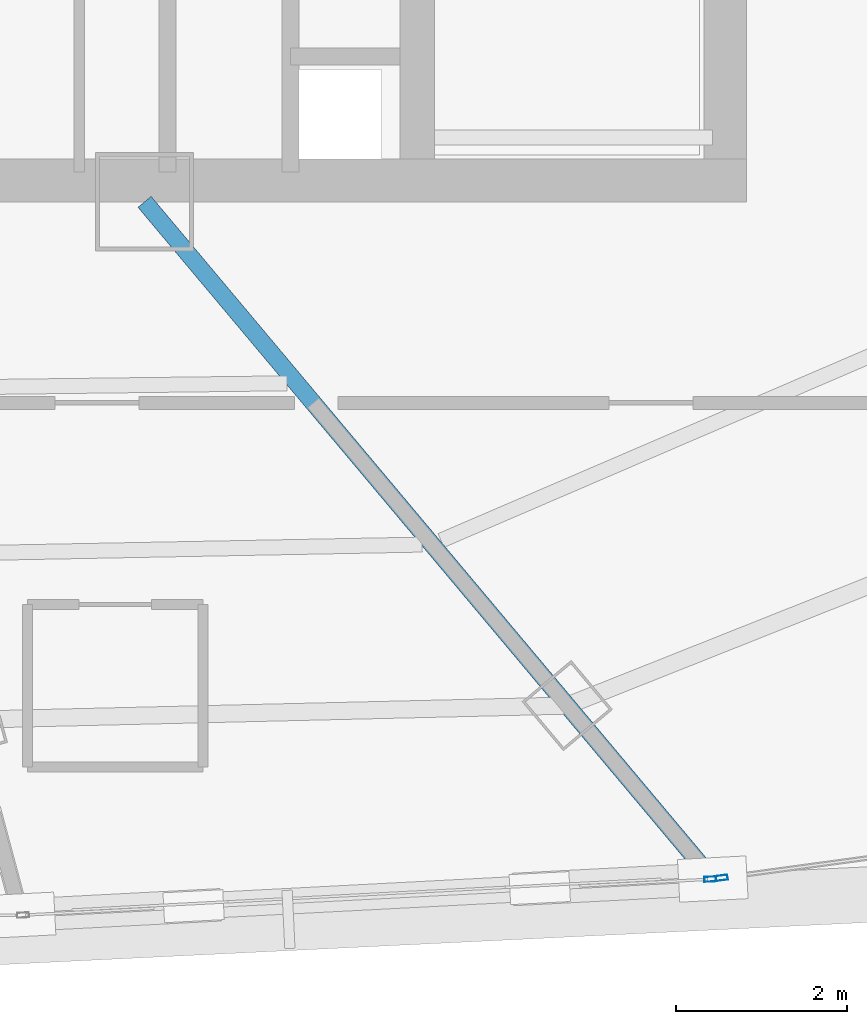
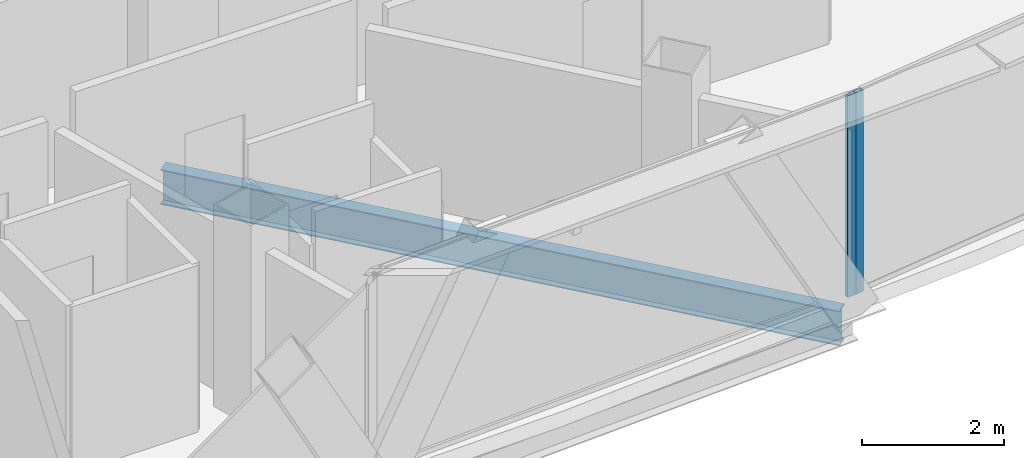
# One storey, part 12 of 40: 2 members, 1 beam, 2 elements without a shape of their own.
"""IFC4 building model written with IfcOpenShell, lengths in metres."""

from ifc_helpers import new_model, si_unit, direction, frame, origin, origin_2d, place, context, subcontext, project, spatial, hollow_rectangle, i_section, extrude, source, transform, mapped, material, layer, layer_set, material_profile, profile_set, type_object, element, aggregate, save


model = new_model("IFC4")

# Units and contexts
model_context = context("Model", 3, precision=1e-05, world=origin(), true_north=direction((0.0, 1.0)))
body_context = subcontext(model_context, "Body", "Model", "MODEL_VIEW")
ifc_project = project(units=[si_unit("LENGTHUNIT", "METRE"), si_unit("AREAUNIT", "SQUARE_METRE"), si_unit("VOLUMEUNIT", "CUBIC_METRE"), si_unit("PLANEANGLEUNIT", "RADIAN"), si_unit("MASSUNIT", "GRAM", prefix="KILO"), si_unit("THERMODYNAMICTEMPERATUREUNIT", "KELVIN"), si_unit("POWERUNIT", "WATT")], contexts=[model_context])

# Site, building, storey
site_placement = place(None, origin())
site = spatial("IfcSite", under=ifc_project, at=site_placement, CompositionType="ELEMENT")
building_placement = place(site_placement, origin())
building = spatial("IfcBuilding", under=site, at=building_placement, Name="Yunzhuo Pagoda Commons", CompositionType="ELEMENT")
storey_placement = place(building_placement, frame((0.0, 0.0, 288.75)))
storey = spatial("IfcBuildingStorey", under=building, at=storey_placement, Name="L72", CompositionType="ELEMENT", Elevation=288.75)

# Beam
ifc_material_1 = material(Name="Structural steel Q355B", Category="steel")
ifc_material_profile_1 = material_profile(ifc_material_1, i_section(OverallWidth=0.199951171875, OverallDepth=0.60009765625, WebThickness=0.010986328125, FlangeThickness=0.01708984375, at=origin_2d()), Name="Structural steel Q355B")
ifc_profile_set_1 = profile_set([ifc_material_profile_1], Name="Structural steel Q355B")
beam_type = type_object("IfcBeamType", Name="B-RG3 Beam HN 600x200x11x17", PredefinedType="BEAM", material=ifc_profile_set_1)
shared_shape_1 = source(origin(), body_context, "Body", "SweptSolid", [
    extrude(i_section(OverallWidth=0.199951171875, OverallDepth=0.60009765625, WebThickness=0.010986328125, FlangeThickness=0.01708984375, at=origin_2d()), origin(), (0.0, 0.0, 1.0), 10.179443359375),
])
beam_placement = place(storey_placement, frame((59.955322265625, 19.4521484375, -0.56005859375), z_axis=(-0.642789830325, 0.766042579776, 0.0), x_axis=(-0.766042579776, -0.642789830325, 0.0)))
element("IfcBeam", 1, at=beam_placement, inside=storey, type_object=beam_type, Name="L72 radial floor girder F1C4", PredefinedType="BEAM", context=body_context, shape_type="MappedRepresentation", body=[
    mapped(shared_shape_1, transform((0.0, 0.0, 0.0), scale=1.0)),
])

# Curtain wall, member
ifc_material_2 = material(Name="Anodized aluminium 6063-T6", Category="aluminium")
ifc_layer = layer(ifc_material_2, 0.139892578125)
ifc_layer_set = layer_set([ifc_layer], Name="Anodized aluminium 6063-T6")
curtain_wall_type = type_object("IfcCurtainWallType", Name="CW-HI High-Zone Ribbon Curtain Wall", PredefinedType="NOTDEFINED", material=ifc_layer_set)
curtain_wall_1_placement = place(storey_placement, origin())
curtain_wall_1 = element("IfcCurtainWall", 2, at=curtain_wall_1_placement, inside=storey, type_object=curtain_wall_type, Name="L72 curtain wall CW-L72-F1B4", PredefinedType="NOTDEFINED")
ifc_material_profile_2 = material_profile(ifc_material_2, hollow_rectangle(XDim=0.06005859375, YDim=0.139892578125, WallThickness=0.00341796875, at=origin_2d()), Name="Anodized aluminium 6063-T6")
ifc_profile_set_2 = profile_set([ifc_material_profile_2], Name="Anodized aluminium 6063-T6")
member_type = type_object("IfcMemberType", Name="CW-HI-M Mullion RHS 140x60x3.5", PredefinedType="MULLION", material=ifc_profile_set_2)
shared_shape_2 = source(origin(), body_context, "Body", "SweptSolid", [
    extrude(hollow_rectangle(XDim=0.06005859375, YDim=0.139892578125, WallThickness=0.00341796875, at=origin_2d()), origin(), (0.0, 0.0, 1.0), 3.469970703125),
])
member_1_placement = place(storey_placement, frame((60.02490234375, 19.33203125, 0.0), z_axis=(0.0, 0.0, 1.0), x_axis=(-0.052189625547, 0.998637192871, 0.0)))
member_1 = element("IfcMember", 3, at=member_1_placement, type_object=member_type, Name="CW mullion 2", PredefinedType="MULLION", context=body_context, shape_type="MappedRepresentation", body=[
    mapped(shared_shape_2, transform((0.0, 0.0, 0.0), scale=1.0)),
])
aggregate(curtain_wall_1, [member_1])

curtain_wall_2_placement = place(storey_placement, origin())
curtain_wall_2 = element("IfcCurtainWall", 4, at=curtain_wall_2_placement, inside=storey, type_object=curtain_wall_type, Name="L72 curtain wall CW-L72-F1B5", PredefinedType="NOTDEFINED")
member_2_placement = place(storey_placement, frame((60.1591796875, 19.34765625, 0.0), z_axis=(0.0, 0.0, 1.0), x_axis=(-0.134853980826, 0.99086548222, 0.0)))
member_2 = element("IfcMember", 5, at=member_2_placement, type_object=member_type, Name="CW mullion 1", PredefinedType="MULLION", context=body_context, shape_type="MappedRepresentation", body=[
    mapped(shared_shape_2, transform((0.0, 0.0, 0.0), scale=1.0)),
])
aggregate(curtain_wall_2, [member_2])

save(model, "model.ifc")
